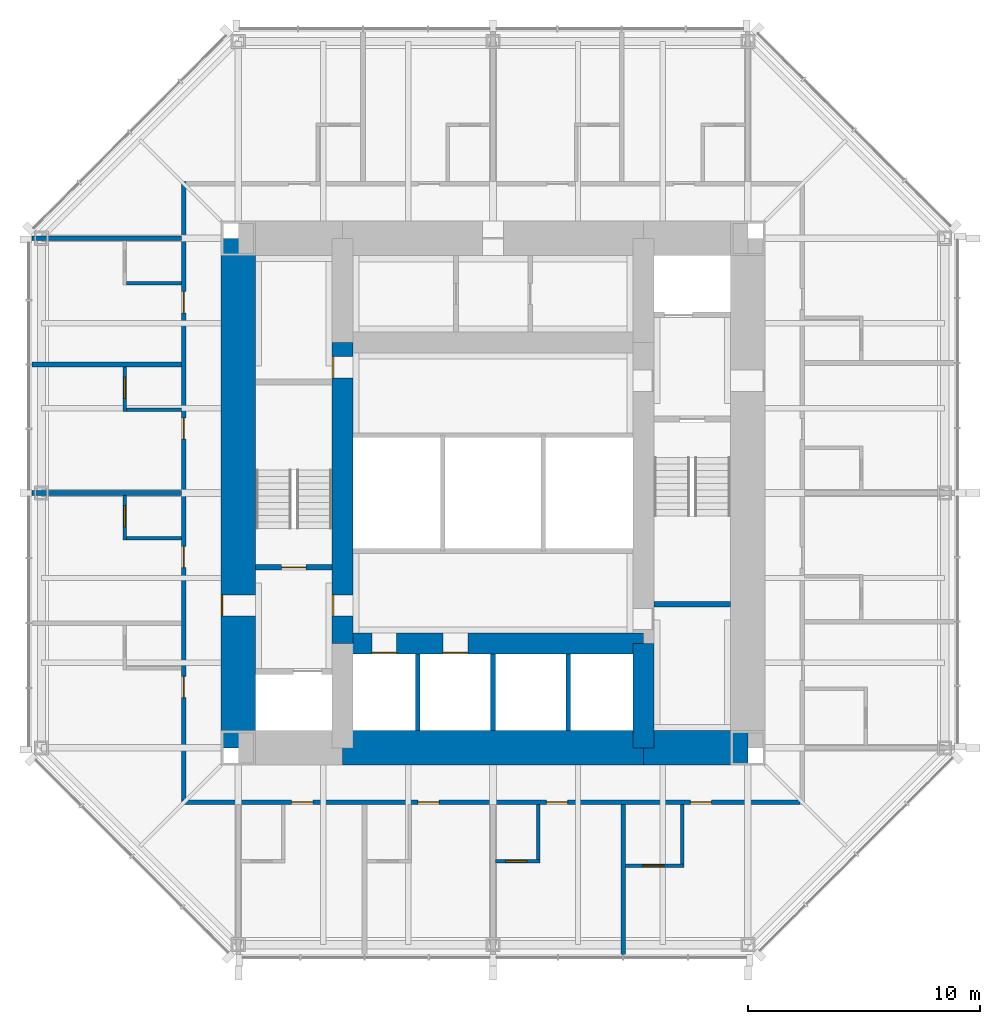
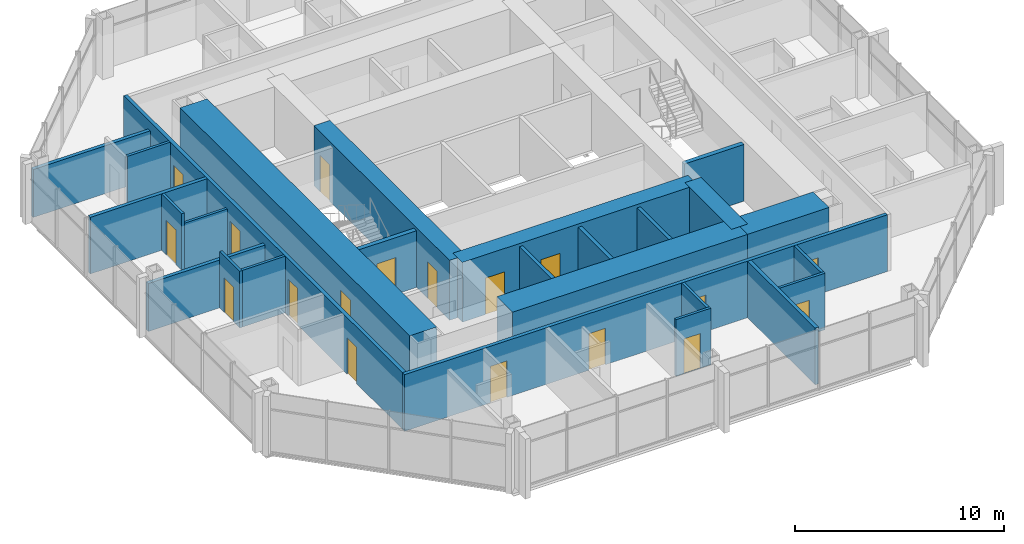
# One storey, part 8 of 12: 26 walls, 18 doors, 18 openings.
"""IFC4 building model written with IfcOpenShell, lengths in metres."""

from ifc_helpers import new_model, si_unit, direction, frame, frame_2d, origin, place, context, subcontext, project, spatial, rectangle, extrude, material, layer, layer_set, type_object, element, fill, save


model = new_model("IFC4")

# Units and contexts
model_context = context("Model", 3, precision=1e-05, world=origin(), true_north=direction((0.0, 1.0)))
body_context = subcontext(model_context, "Body", "Model", "MODEL_VIEW")
ifc_project = project(units=[si_unit("LENGTHUNIT", "METRE"), si_unit("AREAUNIT", "SQUARE_METRE"), si_unit("VOLUMEUNIT", "CUBIC_METRE"), si_unit("PLANEANGLEUNIT", "RADIAN"), si_unit("MASSUNIT", "GRAM", prefix="KILO")], contexts=[model_context])

# Site, building, storey
site_placement = place(None, origin())
site = spatial("IfcSite", under=ifc_project, at=site_placement, CompositionType="ELEMENT")
building_placement = place(site_placement, origin())
building = spatial("IfcBuilding", under=site, at=building_placement, Name="Trevanion Tower", CompositionType="ELEMENT")
storey_placement = place(building_placement, frame((0.0, 0.0, 197.699951171875)))
storey = spatial("IfcBuildingStorey", under=building, at=storey_placement, Name="L46", CompositionType="ELEMENT", Elevation=197.699951171875)

# Wall, opening, door
ifc_material_1 = material(Name="Concrete 10,000 psi", Category="concrete")
ifc_layer_1 = layer(ifc_material_1, 1.5)
ifc_layer_set_1 = layer_set([ifc_layer_1], Name="CW1 core wall 1500")
wall_type_1 = type_object("IfcWallType", Name="CW1 core wall 1500", PredefinedType="SHEAR", material=ifc_layer_set_1)
wall_1_placement = place(storey_placement, frame((-11.0, 11.0, 0.0), z_axis=(0.0, 0.0, 1.0), x_axis=(0.0, -1.0, 0.0)))
wall_1 = element("IfcWall", 1, at=wall_1_placement, inside=storey, type_object=wall_type_1, Name="CW1 CW L46", PredefinedType="SHEAR", context=body_context, shape_type="SweptSolid", body=[
    extrude(rectangle(XDim=22.0, YDim=1.5, at=frame_2d((11.0, 0.0))), origin(), (0.0, 0.0, 1.0), 3.5),
])
opening_1_placement = place(wall_1_placement, frame((15.392578125, 0.0, 0.0)))
opening_1 = element("IfcOpeningElement", 2, at=opening_1_placement, cuts=wall_1, Name="Opening 46-002", PredefinedType="OPENING", context=body_context, shape_type="SweptSolid", body=[
    extrude(rectangle(XDim=0.9150390625, YDim=2.134033203125, at=frame_2d((0.45751953125, 1.06689453125))), frame((0.0, 0.760009765625, 0.0), z_axis=(0.0, -1.0, 0.0), x_axis=(1.0, 0.0, 0.0)), (0.0, 0.0, 1.0), 1.52001953125),
])
ifc_material_2 = material(Name="Hollow metal, fire rated", Category="steel")
door_type_1 = type_object("IfcDoorType", Name="D3 fire lift lobby door", OperationType="SINGLE_SWING_RIGHT", PredefinedType="DOOR", material=ifc_material_2)
door_1_placement = place(opening_1_placement, origin())
door_1 = element("IfcDoor", 3, at=door_1_placement, inside=storey, type_object=door_type_1, Name="Door 46-002", OperationType="SINGLE_SWING_RIGHT", OverallHeight=2.134033203125, OverallWidth=0.9150390625, PredefinedType="DOOR", context=body_context, shape_type="SweptSolid", body=[
    extrude(rectangle(XDim=0.9150390625, YDim=2.134033203125, at=frame_2d((0.45751953125, 1.06689453125))), frame((0.0, -0.6748046875, 0.0), z_axis=(0.0, -1.0, 0.0), x_axis=(1.0, 0.0, 0.0)), (0.0, 0.0, 1.0), 0.050048828125),
])
fill(opening_1, door_1)

# Walls
wall_2_placement = place(storey_placement, frame((-6.5, -11.0, 0.0), z_axis=(0.0, 0.0, 1.0), x_axis=(1.0, 0.0, 0.0)))
element("IfcWall", 4, at=wall_2_placement, inside=storey, type_object=wall_type_1, Name="CW1 CS2 L46", PredefinedType="SHEAR", context=body_context, shape_type="SweptSolid", body=[
    extrude(rectangle(XDim=13.0, YDim=1.5, at=frame_2d((6.5, 0.0))), origin(), (0.0, 0.0, 1.0), 3.5),
])
wall_3_placement = place(storey_placement, frame((6.5, -11.0, 0.0), z_axis=(0.0, 0.0, 1.0), x_axis=(1.0, 0.0, 0.0)))
element("IfcWall", 5, at=wall_3_placement, inside=storey, type_object=wall_type_1, Name="CW1 CS3 L46", PredefinedType="SHEAR", context=body_context, shape_type="SweptSolid", body=[
    extrude(rectangle(XDim=4.5, YDim=1.5, at=frame_2d((2.25, 0.0))), origin(), (0.0, 0.0, 1.0), 3.5),
])
ifc_material_3 = material(Name="Concrete 10,000 psi", Category="concrete")
ifc_layer_2 = layer(ifc_material_3, 0.89990234375)
ifc_layer_set_2 = layer_set([ifc_layer_2], Name="CW2 core wall 900")
wall_type_2 = type_object("IfcWallType", Name="CW2 core wall 900", PredefinedType="SHEAR", material=ifc_layer_set_2)
wall_4_placement = place(storey_placement, frame((6.5, -11.0, 0.0), z_axis=(0.0, 0.0, 1.0), x_axis=(0.0, 1.0, 0.0)))
element("IfcWall", 6, at=wall_4_placement, inside=storey, type_object=wall_type_2, Name="CW2 RE1 L46", PredefinedType="SHEAR", context=body_context, shape_type="SweptSolid", body=[
    extrude(rectangle(XDim=4.5, YDim=0.89990234375, at=frame_2d((2.25, 0.0))), origin(), (0.0, 0.0, 1.0), 3.5),
])

# Wall, openings, doors
wall_5_placement = place(storey_placement, frame((-6.5, 6.5, 0.0), z_axis=(0.0, 0.0, 1.0), x_axis=(0.0, -1.0, 0.0)))
wall_5 = element("IfcWall", 7, at=wall_5_placement, inside=storey, type_object=wall_type_2, Name="CW2 RW2 L46", PredefinedType="SHEAR", context=body_context, shape_type="SweptSolid", body=[
    extrude(rectangle(XDim=13.0, YDim=0.89990234375, at=frame_2d((6.5, 0.0))), origin(), (0.0, 0.0, 1.0), 3.5),
])
opening_2_placement = place(wall_5_placement, frame((10.892578125, 0.0, 0.0)))
opening_2 = element("IfcOpeningElement", 8, at=opening_2_placement, cuts=wall_5, Name="Opening 46-004", PredefinedType="OPENING", context=body_context, shape_type="SweptSolid", body=[
    extrude(rectangle(XDim=0.9150390625, YDim=2.134033203125, at=frame_2d((0.45751953125, 1.06689453125))), frame((0.0, 0.4599609375, 0.0), z_axis=(0.0, -1.0, 0.0), x_axis=(1.0, 0.0, 0.0)), (0.0, 0.0, 1.0), 0.919921875),
])
opening_3_placement = place(wall_5_placement, frame((0.610107421875, 0.0, 0.0)))
opening_3 = element("IfcOpeningElement", 9, at=opening_3_placement, cuts=wall_5, Name="Opening 46-010", PredefinedType="OPENING", context=body_context, shape_type="SweptSolid", body=[
    extrude(rectangle(XDim=0.9150390625, YDim=2.134033203125, at=frame_2d((0.45751953125, 1.06689453125))), frame((0.0, 0.4599609375, 0.0), z_axis=(0.0, -1.0, 0.0), x_axis=(1.0, 0.0, 0.0)), (0.0, 0.0, 1.0), 0.919921875),
])
door_2_placement = place(opening_2_placement, origin())
door_2 = element("IfcDoor", 10, at=door_2_placement, inside=storey, type_object=door_type_1, Name="Door 46-004", OperationType="SINGLE_SWING_RIGHT", OverallHeight=2.134033203125, OverallWidth=0.9150390625, PredefinedType="DOOR", context=body_context, shape_type="SweptSolid", body=[
    extrude(rectangle(XDim=0.9150390625, YDim=2.134033203125, at=frame_2d((0.45751953125, 1.06689453125))), frame((0.0, -0.375, 0.0), z_axis=(0.0, -1.0, 0.0), x_axis=(1.0, 0.0, 0.0)), (0.0, 0.0, 1.0), 0.050048828125),
])
fill(opening_2, door_2)
ifc_material_4 = material(Name="Hollow metal, fire rated", Category="steel")
door_type_2 = type_object("IfcDoorType", Name="D5 service room door", OperationType="SINGLE_SWING_RIGHT", PredefinedType="DOOR", material=ifc_material_4)
door_3_placement = place(opening_3_placement, origin())
door_3 = element("IfcDoor", 11, at=door_3_placement, inside=storey, type_object=door_type_2, Name="Door 46-010", OperationType="SINGLE_SWING_RIGHT", OverallHeight=2.134033203125, OverallWidth=0.9150390625, PredefinedType="DOOR", context=body_context, shape_type="SweptSolid", body=[
    extrude(rectangle(XDim=0.9150390625, YDim=2.134033203125, at=frame_2d((0.45751953125, 1.06689453125))), frame((0.0, -0.375, 0.0), z_axis=(0.0, -1.0, 0.0), x_axis=(1.0, 0.0, 0.0)), (0.0, 0.0, 1.0), 0.050048828125),
])
fill(opening_3, door_3)

wall_6_placement = place(storey_placement, frame((-6.5, -6.5, 0.0), z_axis=(0.0, 0.0, 1.0), x_axis=(1.0, 0.0, 0.0)))
wall_6 = element("IfcWall", 12, at=wall_6_placement, inside=storey, type_object=wall_type_2, Name="CW2 RS L46", PredefinedType="SHEAR", context=body_context, shape_type="SweptSolid", body=[
    extrude(rectangle(XDim=13.0, YDim=0.89990234375, at=frame_2d((6.5, 0.0))), origin(), (0.0, 0.0, 1.0), 3.5),
])
opening_4_placement = place(wall_6_placement, frame((1.2666015625, 0.0, 0.0)))
opening_4 = element("IfcOpeningElement", 13, at=opening_4_placement, cuts=wall_6, Name="Opening 46-011", PredefinedType="OPENING", context=body_context, shape_type="SweptSolid", body=[
    extrude(rectangle(XDim=1.06689453125, YDim=2.134033203125, at=frame_2d((0.533447265625, 1.06689453125))), frame((0.0, 0.4599609375, 0.0), z_axis=(0.0, -1.0, 0.0), x_axis=(1.0, 0.0, 0.0)), (0.0, 0.0, 1.0), 0.919921875),
])
opening_5_placement = place(wall_6_placement, frame((4.341552734375, 0.0, 0.0)))
opening_5 = element("IfcOpeningElement", 14, at=opening_5_placement, cuts=wall_6, Name="Opening 46-012", PredefinedType="OPENING", context=body_context, shape_type="SweptSolid", body=[
    extrude(rectangle(XDim=1.06689453125, YDim=2.134033203125, at=frame_2d((0.533447265625, 1.06689453125))), frame((0.0, 0.4599609375, 0.0), z_axis=(0.0, -1.0, 0.0), x_axis=(1.0, 0.0, 0.0)), (0.0, 0.0, 1.0), 0.919921875),
])
ifc_material_5 = material(Name="Stainless steel, fire rated", Category="steel")
door_type_3 = type_object("IfcDoorType", Name="LD1 lift landing door", OperationType="SLIDING_TO_LEFT", PredefinedType="DOOR", material=ifc_material_5)
door_4_placement = place(opening_4_placement, origin())
door_4 = element("IfcDoor", 15, at=door_4_placement, inside=storey, type_object=door_type_3, Name="Door 46-011", OperationType="SLIDING_TO_LEFT", OverallHeight=2.134033203125, OverallWidth=1.06689453125, PredefinedType="DOOR", context=body_context, shape_type="SweptSolid", body=[
    extrude(rectangle(XDim=1.06689453125, YDim=2.134033203125, at=frame_2d((0.533447265625, 1.06689453125))), frame((0.0, -0.375, 0.0), z_axis=(0.0, -1.0, 0.0), x_axis=(1.0, 0.0, 0.0)), (0.0, 0.0, 1.0), 0.050048828125),
])
fill(opening_4, door_4)
door_5_placement = place(opening_5_placement, origin())
door_5 = element("IfcDoor", 16, at=door_5_placement, inside=storey, type_object=door_type_3, Name="Door 46-012", OperationType="SLIDING_TO_LEFT", OverallHeight=2.134033203125, OverallWidth=1.06689453125, PredefinedType="DOOR", context=body_context, shape_type="SweptSolid", body=[
    extrude(rectangle(XDim=1.06689453125, YDim=2.134033203125, at=frame_2d((0.533447265625, 1.06689453125))), frame((0.0, -0.375, 0.0), z_axis=(0.0, -1.0, 0.0), x_axis=(1.0, 0.0, 0.0)), (0.0, 0.0, 1.0), 0.050048828125),
])
fill(opening_5, door_5)

# Wall
ifc_material_6 = material(Name="Gypsum board on steel studs", Category="steel")
ifc_layer_3 = layer(ifc_material_6, 0.14990234375)
ifc_layer_set_3 = layer_set([ifc_layer_3], Name="PT1 partition 150")
wall_type_3 = type_object("IfcWallType", Name="PT1 partition 150", PredefinedType="PARTITIONING", material=ifc_layer_set_3)
wall_7_placement = place(storey_placement, frame((-13.449951171875, 9.050048828125, 0.0), z_axis=(0.0, 0.0, 1.0), x_axis=(-1.0, 0.0, 0.0)))
element("IfcWall", 17, at=wall_7_placement, inside=storey, type_object=wall_type_3, Name="PT1 L46 BB20", PredefinedType="PARTITIONING", context=body_context, shape_type="SweptSolid", body=[
    extrude(rectangle(XDim=2.375, YDim=0.14990234375, at=frame_2d((1.1875, 0.0))), origin(), (0.0, 0.0, 1.0), 3.31005859375),
])

# Wall, opening, door
wall_8_placement = place(storey_placement, frame((-15.89990234375, 5.448974609375, 0.0), z_axis=(0.0, 0.0, 1.0), x_axis=(0.0, -1.0, 0.0)))
wall_8 = element("IfcWall", 18, at=wall_8_placement, inside=storey, type_object=wall_type_3, Name="PT1 L46 BA21", PredefinedType="PARTITIONING", context=body_context, shape_type="SweptSolid", body=[
    extrude(rectangle(XDim=1.925048828125, YDim=0.14990234375, at=frame_2d((0.96240234375, 0.0))), origin(), (0.0, 0.0, 1.0), 3.31005859375),
])
opening_6_placement = place(wall_8_placement, frame((0.4423828125, 0.0, 0.0)))
opening_6 = element("IfcOpeningElement", 19, at=opening_6_placement, cuts=wall_8, Name="Opening 46-034", PredefinedType="OPENING", context=body_context, shape_type="SweptSolid", body=[
    extrude(rectangle(XDim=0.9150390625, YDim=2.031982421875, at=frame_2d((0.45751953125, 1.01611328125))), frame((0.0, 0.0849609375, 0.0), z_axis=(0.0, -1.0, 0.0), x_axis=(1.0, 0.0, 0.0)), (0.0, 0.0, 1.0), 0.169921875),
])
ifc_material_7 = material(Name="Timber veneer", Category="wood")
door_type_4 = type_object("IfcDoorType", Name="D7 bathroom door", OperationType="SINGLE_SWING_LEFT", PredefinedType="DOOR", material=ifc_material_7)
door_6_placement = place(opening_6_placement, origin())
door_6 = element("IfcDoor", 20, at=door_6_placement, inside=storey, type_object=door_type_4, Name="Door 46-034", OperationType="SINGLE_SWING_LEFT", OverallHeight=2.031982421875, OverallWidth=0.9150390625, PredefinedType="DOOR", context=body_context, shape_type="SweptSolid", body=[
    extrude(rectangle(XDim=0.9150390625, YDim=2.031982421875, at=frame_2d((0.45751953125, 1.01611328125))), frame((0.0, 0.02490234375, 0.0), z_axis=(0.0, -1.0, 0.0), x_axis=(1.0, 0.0, 0.0)), (0.0, 0.0, 1.0), 0.050048828125),
])
fill(opening_6, door_6)

# Wall
wall_9_placement = place(storey_placement, frame((-13.449951171875, 3.59912109375, 0.0), z_axis=(0.0, 0.0, 1.0), x_axis=(-1.0, 0.0, 0.0)))
element("IfcWall", 21, at=wall_9_placement, inside=storey, type_object=wall_type_3, Name="PT1 L46 BB21", PredefinedType="PARTITIONING", context=body_context, shape_type="SweptSolid", body=[
    extrude(rectangle(XDim=2.375, YDim=0.14990234375, at=frame_2d((1.1875, 0.0))), origin(), (0.0, 0.0, 1.0), 2.703125),
])

# Wall, opening, door
wall_10_placement = place(storey_placement, frame((-15.89990234375, -0.10009765625, 0.0), z_axis=(0.0, 0.0, 1.0), x_axis=(0.0, -1.0, 0.0)))
wall_10 = element("IfcWall", 22, at=wall_10_placement, inside=storey, type_object=wall_type_3, Name="PT1 L46 BA22", PredefinedType="PARTITIONING", context=body_context, shape_type="SweptSolid", body=[
    extrude(rectangle(XDim=1.9248046875, YDim=0.14990234375, at=frame_2d((0.96240234375, 0.0))), origin(), (0.0, 0.0, 1.0), 3.31005859375),
])
opening_7_placement = place(wall_10_placement, frame((0.4423828125, 0.0, 0.0)))
opening_7 = element("IfcOpeningElement", 23, at=opening_7_placement, cuts=wall_10, Name="Opening 46-036", PredefinedType="OPENING", context=body_context, shape_type="SweptSolid", body=[
    extrude(rectangle(XDim=0.9150390625, YDim=2.031982421875, at=frame_2d((0.45751953125, 1.01611328125))), frame((0.0, 0.0849609375, 0.0), z_axis=(0.0, -1.0, 0.0), x_axis=(1.0, 0.0, 0.0)), (0.0, 0.0, 1.0), 0.169921875),
])
door_7_placement = place(opening_7_placement, origin())
door_7 = element("IfcDoor", 24, at=door_7_placement, inside=storey, type_object=door_type_4, Name="Door 46-036", OperationType="SINGLE_SWING_LEFT", OverallHeight=2.031982421875, OverallWidth=0.9150390625, PredefinedType="DOOR", context=body_context, shape_type="SweptSolid", body=[
    extrude(rectangle(XDim=0.9150390625, YDim=2.031982421875, at=frame_2d((0.45751953125, 1.01611328125))), frame((0.0, 0.02490234375, 0.0), z_axis=(0.0, -1.0, 0.0), x_axis=(1.0, 0.0, 0.0)), (0.0, 0.0, 1.0), 0.050048828125),
])
fill(opening_7, door_7)

# Wall
wall_11_placement = place(storey_placement, frame((-13.449951171875, -1.949951171875, 0.0), z_axis=(0.0, 0.0, 1.0), x_axis=(-1.0, 0.0, 0.0)))
element("IfcWall", 25, at=wall_11_placement, inside=storey, type_object=wall_type_3, Name="PT1 L46 BB22", PredefinedType="PARTITIONING", context=body_context, shape_type="SweptSolid", body=[
    extrude(rectangle(XDim=2.375, YDim=0.14990234375, at=frame_2d((1.1875, 0.0))), origin(), (0.0, 0.0, 1.0), 3.31005859375),
])

# Wall, opening, door
wall_12_placement = place(storey_placement, frame((0.10009765625, -15.89990234375, 0.0), z_axis=(0.0, 0.0, 1.0), x_axis=(1.0, 0.0, 0.0)))
wall_12 = element("IfcWall", 26, at=wall_12_placement, inside=storey, type_object=wall_type_3, Name="PT1 L46 BA32", PredefinedType="PARTITIONING", context=body_context, shape_type="SweptSolid", body=[
    extrude(rectangle(XDim=1.9248046875, YDim=0.14990234375, at=frame_2d((0.96240234375, 0.0))), origin(), (0.0, 0.0, 1.0), 3.31005859375),
])
opening_8_placement = place(wall_12_placement, frame((0.4423828125, 0.0, 0.0)))
opening_8 = element("IfcOpeningElement", 27, at=opening_8_placement, cuts=wall_12, Name="Opening 46-044", PredefinedType="OPENING", context=body_context, shape_type="SweptSolid", body=[
    extrude(rectangle(XDim=0.9150390625, YDim=2.031982421875, at=frame_2d((0.45751953125, 1.01611328125))), frame((0.0, 0.0849609375, 0.0), z_axis=(0.0, -1.0, 0.0), x_axis=(1.0, 0.0, 0.0)), (0.0, 0.0, 1.0), 0.169921875),
])
door_8_placement = place(opening_8_placement, origin())
door_8 = element("IfcDoor", 28, at=door_8_placement, inside=storey, type_object=door_type_4, Name="Door 46-044", OperationType="SINGLE_SWING_LEFT", OverallHeight=2.031982421875, OverallWidth=0.9150390625, PredefinedType="DOOR", context=body_context, shape_type="SweptSolid", body=[
    extrude(rectangle(XDim=0.9150390625, YDim=2.031982421875, at=frame_2d((0.45751953125, 1.01611328125))), frame((0.0, 0.02490234375, 0.0), z_axis=(0.0, -1.0, 0.0), x_axis=(1.0, 0.0, 0.0)), (0.0, 0.0, 1.0), 0.050048828125),
])
fill(opening_8, door_8)

# Wall
wall_13_placement = place(storey_placement, frame((1.949951171875, -13.449951171875, 0.0), z_axis=(0.0, 0.0, 1.0), x_axis=(0.0, -1.0, 0.0)))
element("IfcWall", 29, at=wall_13_placement, inside=storey, type_object=wall_type_3, Name="PT1 L46 BB32", PredefinedType="PARTITIONING", context=body_context, shape_type="SweptSolid", body=[
    extrude(rectangle(XDim=2.375, YDim=0.14990234375, at=frame_2d((1.1875, 0.0))), origin(), (0.0, 0.0, 1.0), 3.31005859375),
])

# Wall, opening, door
wall_14_placement = place(storey_placement, frame((5.714111328125, -16.10009765625, 0.0), z_axis=(0.0, 0.0, 1.0), x_axis=(1.0, 0.0, 0.0)))
wall_14 = element("IfcWall", 30, at=wall_14_placement, inside=storey, type_object=wall_type_3, Name="PT1 L46 BA33", PredefinedType="PARTITIONING", context=body_context, shape_type="SweptSolid", body=[
    extrude(rectangle(XDim=2.52490234375, YDim=0.14990234375, at=frame_2d((1.262451171875, 0.0))), origin(), (0.0, 0.0, 1.0), 3.31005859375),
])
opening_9_placement = place(wall_14_placement, frame((0.742431640625, 0.0, 0.0)))
opening_9 = element("IfcOpeningElement", 31, at=opening_9_placement, cuts=wall_14, Name="Opening 46-046", PredefinedType="OPENING", context=body_context, shape_type="SweptSolid", body=[
    extrude(rectangle(XDim=0.9150390625, YDim=2.031982421875, at=frame_2d((0.45751953125, 1.01611328125))), frame((0.0, 0.0849609375, 0.0), z_axis=(0.0, -1.0, 0.0), x_axis=(1.0, 0.0, 0.0)), (0.0, 0.0, 1.0), 0.169921875),
])
door_9_placement = place(opening_9_placement, origin())
door_9 = element("IfcDoor", 32, at=door_9_placement, inside=storey, type_object=door_type_4, Name="Door 46-046", OperationType="SINGLE_SWING_LEFT", OverallHeight=2.031982421875, OverallWidth=0.9150390625, PredefinedType="DOOR", context=body_context, shape_type="SweptSolid", body=[
    extrude(rectangle(XDim=0.9150390625, YDim=2.031982421875, at=frame_2d((0.45751953125, 1.01611328125))), frame((0.0, 0.02490234375, 0.0), z_axis=(0.0, -1.0, 0.0), x_axis=(1.0, 0.0, 0.0)), (0.0, 0.0, 1.0), 0.050048828125),
])
fill(opening_9, door_9)

# Wall
wall_15_placement = place(storey_placement, frame((8.1640625, -13.449951171875, 0.0), z_axis=(0.0, 0.0, 1.0), x_axis=(0.0, -1.0, 0.0)))
element("IfcWall", 33, at=wall_15_placement, inside=storey, type_object=wall_type_3, Name="PT1 L46 BB33", PredefinedType="PARTITIONING", context=body_context, shape_type="SweptSolid", body=[
    extrude(rectangle(XDim=2.574951171875, YDim=0.14990234375, at=frame_2d((1.28759765625, 0.0))), origin(), (0.0, 0.0, 1.0), 3.31005859375),
])

# Wall, openings, doors
ifc_material_8 = material(Name="Concrete masonry, grouted", Category="masonry")
ifc_layer_4 = layer(ifc_material_8, 0.199951171875)
ifc_layer_set_4 = layer_set([ifc_layer_4], Name="PT2 partition 200 1 HR")
wall_type_4 = type_object("IfcWallType", Name="PT2 partition 200 1 HR", PredefinedType="PARTITIONING", material=ifc_layer_set_4)
wall_16_placement = place(storey_placement, frame((-13.35009765625, 13.449951171875, 0.0), z_axis=(0.0, 0.0, 1.0), x_axis=(0.0, -1.0, 0.0)))
wall_16 = element("IfcWall", 34, at=wall_16_placement, inside=storey, type_object=wall_type_4, Name="PT2 L46 HC2", PredefinedType="PARTITIONING", context=body_context, shape_type="SweptSolid", body=[
    extrude(rectangle(XDim=26.699951171875, YDim=0.199951171875, at=frame_2d((13.35009765625, 0.0))), origin(), (0.0, 0.0, 1.0), 3.31005859375),
])
opening_10_placement = place(wall_16_placement, frame((4.75244140625, 0.0, 0.0)))
opening_10 = element("IfcOpeningElement", 35, at=opening_10_placement, cuts=wall_16, Name="Opening 46-033", PredefinedType="OPENING", context=body_context, shape_type="SweptSolid", body=[
    extrude(rectangle(XDim=0.9150390625, YDim=2.134033203125, at=frame_2d((0.45751953125, 1.06689453125))), frame((0.0, 0.10986328125, 0.0), z_axis=(0.0, -1.0, 0.0), x_axis=(1.0, 0.0, 0.0)), (0.0, 0.0, 1.0), 0.219970703125),
])
opening_11_placement = place(wall_16_placement, frame((10.20361328125, 0.0, 0.0)))
opening_11 = element("IfcOpeningElement", 36, at=opening_11_placement, cuts=wall_16, Name="Opening 46-035", PredefinedType="OPENING", context=body_context, shape_type="SweptSolid", body=[
    extrude(rectangle(XDim=0.9150390625, YDim=2.134033203125, at=frame_2d((0.45751953125, 1.06689453125))), frame((0.0, 0.10986328125, 0.0), z_axis=(0.0, -1.0, 0.0), x_axis=(1.0, 0.0, 0.0)), (0.0, 0.0, 1.0), 0.219970703125),
])
opening_12_placement = place(wall_16_placement, frame((15.75244140625, 0.0, 0.0)))
opening_12 = element("IfcOpeningElement", 37, at=opening_12_placement, cuts=wall_16, Name="Opening 46-037", PredefinedType="OPENING", context=body_context, shape_type="SweptSolid", body=[
    extrude(rectangle(XDim=0.9150390625, YDim=2.134033203125, at=frame_2d((0.45751953125, 1.06689453125))), frame((0.0, 0.10986328125, 0.0), z_axis=(0.0, -1.0, 0.0), x_axis=(1.0, 0.0, 0.0)), (0.0, 0.0, 1.0), 0.219970703125),
])
opening_13_placement = place(wall_16_placement, frame((21.366455078125, 0.0, 0.0)))
opening_13 = element("IfcOpeningElement", 38, at=opening_13_placement, cuts=wall_16, Name="Opening 46-039", PredefinedType="OPENING", context=body_context, shape_type="SweptSolid", body=[
    extrude(rectangle(XDim=0.9150390625, YDim=2.134033203125, at=frame_2d((0.45751953125, 1.06689453125))), frame((0.0, 0.10986328125, 0.0), z_axis=(0.0, -1.0, 0.0), x_axis=(1.0, 0.0, 0.0)), (0.0, 0.0, 1.0), 0.219970703125),
])
ifc_material_9 = material(Name="Timber veneer, fire rated", Category="wood")
door_type_5 = type_object("IfcDoorType", Name="D6 guest room entrance door", OperationType="SINGLE_SWING_LEFT", PredefinedType="DOOR", material=ifc_material_9)
door_10_placement = place(opening_10_placement, origin())
door_10 = element("IfcDoor", 39, at=door_10_placement, inside=storey, type_object=door_type_5, Name="Door 46-033", OperationType="SINGLE_SWING_LEFT", OverallHeight=2.134033203125, OverallWidth=0.9150390625, PredefinedType="DOOR", context=body_context, shape_type="SweptSolid", body=[
    extrude(rectangle(XDim=0.9150390625, YDim=2.134033203125, at=frame_2d((0.45751953125, 1.06689453125))), frame((0.0, 0.02490234375, 0.0), z_axis=(0.0, -1.0, 0.0), x_axis=(1.0, 0.0, 0.0)), (0.0, 0.0, 1.0), 0.050048828125),
])
fill(opening_10, door_10)
door_11_placement = place(opening_11_placement, origin())
door_11 = element("IfcDoor", 40, at=door_11_placement, inside=storey, type_object=door_type_5, Name="Door 46-035", OperationType="SINGLE_SWING_LEFT", OverallHeight=2.134033203125, OverallWidth=0.9150390625, PredefinedType="DOOR", context=body_context, shape_type="SweptSolid", body=[
    extrude(rectangle(XDim=0.9150390625, YDim=2.134033203125, at=frame_2d((0.45751953125, 1.06689453125))), frame((0.0, 0.02490234375, 0.0), z_axis=(0.0, -1.0, 0.0), x_axis=(1.0, 0.0, 0.0)), (0.0, 0.0, 1.0), 0.050048828125),
])
fill(opening_11, door_11)
door_12_placement = place(opening_12_placement, origin())
door_12 = element("IfcDoor", 41, at=door_12_placement, inside=storey, type_object=door_type_5, Name="Door 46-037", OperationType="SINGLE_SWING_LEFT", OverallHeight=2.134033203125, OverallWidth=0.9150390625, PredefinedType="DOOR", context=body_context, shape_type="SweptSolid", body=[
    extrude(rectangle(XDim=0.9150390625, YDim=2.134033203125, at=frame_2d((0.45751953125, 1.06689453125))), frame((0.0, 0.02490234375, 0.0), z_axis=(0.0, -1.0, 0.0), x_axis=(1.0, 0.0, 0.0)), (0.0, 0.0, 1.0), 0.050048828125),
])
fill(opening_12, door_12)
door_13_placement = place(opening_13_placement, origin())
door_13 = element("IfcDoor", 42, at=door_13_placement, inside=storey, type_object=door_type_5, Name="Door 46-039", OperationType="SINGLE_SWING_LEFT", OverallHeight=2.134033203125, OverallWidth=0.9150390625, PredefinedType="DOOR", context=body_context, shape_type="SweptSolid", body=[
    extrude(rectangle(XDim=0.9150390625, YDim=2.134033203125, at=frame_2d((0.45751953125, 1.06689453125))), frame((0.0, 0.02490234375, 0.0), z_axis=(0.0, -1.0, 0.0), x_axis=(1.0, 0.0, 0.0)), (0.0, 0.0, 1.0), 0.050048828125),
])
fill(opening_13, door_13)

wall_17_placement = place(storey_placement, frame((-13.449951171875, -13.35009765625, 0.0), z_axis=(0.0, 0.0, 1.0), x_axis=(1.0, 0.0, 0.0)))
wall_17 = element("IfcWall", 43, at=wall_17_placement, inside=storey, type_object=wall_type_4, Name="PT2 L46 HC3", PredefinedType="PARTITIONING", context=body_context, shape_type="SweptSolid", body=[
    extrude(rectangle(XDim=26.699951171875, YDim=0.199951171875, at=frame_2d((13.35009765625, 0.0))), origin(), (0.0, 0.0, 1.0), 3.31005859375),
])
opening_14_placement = place(wall_17_placement, frame((4.75244140625, 0.0, 0.0)))
opening_14 = element("IfcOpeningElement", 44, at=opening_14_placement, cuts=wall_17, Name="Opening 46-041", PredefinedType="OPENING", context=body_context, shape_type="SweptSolid", body=[
    extrude(rectangle(XDim=0.9150390625, YDim=2.134033203125, at=frame_2d((0.45751953125, 1.06689453125))), frame((0.0, 0.10986328125, 0.0), z_axis=(0.0, -1.0, 0.0), x_axis=(1.0, 0.0, 0.0)), (0.0, 0.0, 1.0), 0.219970703125),
])
opening_15_placement = place(wall_17_placement, frame((10.20361328125, 0.0, 0.0)))
opening_15 = element("IfcOpeningElement", 45, at=opening_15_placement, cuts=wall_17, Name="Opening 46-043", PredefinedType="OPENING", context=body_context, shape_type="SweptSolid", body=[
    extrude(rectangle(XDim=0.9150390625, YDim=2.134033203125, at=frame_2d((0.45751953125, 1.06689453125))), frame((0.0, 0.10986328125, 0.0), z_axis=(0.0, -1.0, 0.0), x_axis=(1.0, 0.0, 0.0)), (0.0, 0.0, 1.0), 0.219970703125),
])
opening_16_placement = place(wall_17_placement, frame((15.75244140625, 0.0, 0.0)))
opening_16 = element("IfcOpeningElement", 46, at=opening_16_placement, cuts=wall_17, Name="Opening 46-045", PredefinedType="OPENING", context=body_context, shape_type="SweptSolid", body=[
    extrude(rectangle(XDim=0.9150390625, YDim=2.134033203125, at=frame_2d((0.45751953125, 1.06689453125))), frame((0.0, 0.10986328125, 0.0), z_axis=(0.0, -1.0, 0.0), x_axis=(1.0, 0.0, 0.0)), (0.0, 0.0, 1.0), 0.219970703125),
])
opening_17_placement = place(wall_17_placement, frame((21.966552734375, 0.0, 0.0)))
opening_17 = element("IfcOpeningElement", 47, at=opening_17_placement, cuts=wall_17, Name="Opening 46-047", PredefinedType="OPENING", context=body_context, shape_type="SweptSolid", body=[
    extrude(rectangle(XDim=0.9150390625, YDim=2.134033203125, at=frame_2d((0.45751953125, 1.06689453125))), frame((0.0, 0.10986328125, 0.0), z_axis=(0.0, -1.0, 0.0), x_axis=(1.0, 0.0, 0.0)), (0.0, 0.0, 1.0), 0.219970703125),
])
door_14_placement = place(opening_14_placement, origin())
door_14 = element("IfcDoor", 48, at=door_14_placement, inside=storey, type_object=door_type_5, Name="Door 46-041", OperationType="SINGLE_SWING_LEFT", OverallHeight=2.134033203125, OverallWidth=0.9150390625, PredefinedType="DOOR", context=body_context, shape_type="SweptSolid", body=[
    extrude(rectangle(XDim=0.9150390625, YDim=2.134033203125, at=frame_2d((0.45751953125, 1.06689453125))), frame((0.0, 0.02490234375, 0.0), z_axis=(0.0, -1.0, 0.0), x_axis=(1.0, 0.0, 0.0)), (0.0, 0.0, 1.0), 0.050048828125),
])
fill(opening_14, door_14)
door_15_placement = place(opening_15_placement, origin())
door_15 = element("IfcDoor", 49, at=door_15_placement, inside=storey, type_object=door_type_5, Name="Door 46-043", OperationType="SINGLE_SWING_LEFT", OverallHeight=2.134033203125, OverallWidth=0.9150390625, PredefinedType="DOOR", context=body_context, shape_type="SweptSolid", body=[
    extrude(rectangle(XDim=0.9150390625, YDim=2.134033203125, at=frame_2d((0.45751953125, 1.06689453125))), frame((0.0, 0.02490234375, 0.0), z_axis=(0.0, -1.0, 0.0), x_axis=(1.0, 0.0, 0.0)), (0.0, 0.0, 1.0), 0.050048828125),
])
fill(opening_15, door_15)
door_16_placement = place(opening_16_placement, origin())
door_16 = element("IfcDoor", 50, at=door_16_placement, inside=storey, type_object=door_type_5, Name="Door 46-045", OperationType="SINGLE_SWING_LEFT", OverallHeight=2.134033203125, OverallWidth=0.9150390625, PredefinedType="DOOR", context=body_context, shape_type="SweptSolid", body=[
    extrude(rectangle(XDim=0.9150390625, YDim=2.134033203125, at=frame_2d((0.45751953125, 1.06689453125))), frame((0.0, 0.02490234375, 0.0), z_axis=(0.0, -1.0, 0.0), x_axis=(1.0, 0.0, 0.0)), (0.0, 0.0, 1.0), 0.050048828125),
])
fill(opening_16, door_16)
door_17_placement = place(opening_17_placement, origin())
door_17 = element("IfcDoor", 51, at=door_17_placement, inside=storey, type_object=door_type_5, Name="Door 46-047", OperationType="SINGLE_SWING_LEFT", OverallHeight=2.134033203125, OverallWidth=0.9150390625, PredefinedType="DOOR", context=body_context, shape_type="SweptSolid", body=[
    extrude(rectangle(XDim=0.9150390625, YDim=2.134033203125, at=frame_2d((0.45751953125, 1.06689453125))), frame((0.0, 0.02490234375, 0.0), z_axis=(0.0, -1.0, 0.0), x_axis=(1.0, 0.0, 0.0)), (0.0, 0.0, 1.0), 0.050048828125),
])
fill(opening_17, door_17)

# Walls
wall_18_placement = place(storey_placement, frame((-13.449951171875, 11.0, 0.0), z_axis=(0.0, 0.0, 1.0), x_axis=(-1.0, 0.0, 0.0)))
element("IfcWall", 52, at=wall_18_placement, inside=storey, type_object=wall_type_4, Name="PT2 L46 HD20", PredefinedType="PARTITIONING", context=body_context, shape_type="SweptSolid", body=[
    extrude(rectangle(XDim=6.465087890625, YDim=0.199951171875, at=frame_2d((3.232421875, 0.0))), origin(), (0.0, 0.0, 1.0), 2.802001953125),
])
wall_19_placement = place(storey_placement, frame((-13.449951171875, 5.549072265625, 0.0), z_axis=(0.0, 0.0, 1.0), x_axis=(-1.0, 0.0, 0.0)))
element("IfcWall", 53, at=wall_19_placement, inside=storey, type_object=wall_type_4, Name="PT2 L46 HD21", PredefinedType="PARTITIONING", context=body_context, shape_type="SweptSolid", body=[
    extrude(rectangle(XDim=6.465087890625, YDim=0.199951171875, at=frame_2d((3.232421875, 0.0))), origin(), (0.0, 0.0, 1.0), 3.31005859375),
])
wall_20_placement = place(storey_placement, frame((-13.449951171875, 0.0, 0.0), z_axis=(0.0, 0.0, 1.0), x_axis=(-1.0, 0.0, 0.0)))
element("IfcWall", 54, at=wall_20_placement, inside=storey, type_object=wall_type_4, Name="PT2 L46 HD22", PredefinedType="PARTITIONING", context=body_context, shape_type="SweptSolid", body=[
    extrude(rectangle(XDim=6.465087890625, YDim=0.199951171875, at=frame_2d((3.232421875, 0.0))), origin(), (0.0, 0.0, 1.0), 2.802001953125),
])
wall_21_placement = place(storey_placement, frame((5.614013671875, -13.449951171875, 0.0), z_axis=(0.0, 0.0, 1.0), x_axis=(0.0, -1.0, 0.0)))
element("IfcWall", 55, at=wall_21_placement, inside=storey, type_object=wall_type_4, Name="PT2 L46 HD33", PredefinedType="PARTITIONING", context=body_context, shape_type="SweptSolid", body=[
    extrude(rectangle(XDim=6.465087890625, YDim=0.199951171875, at=frame_2d((3.232421875, 0.0))), origin(), (0.0, 0.0, 1.0), 3.31005859375),
])
ifc_material_10 = material(Name="Concrete masonry, grouted", Category="masonry")
ifc_layer_5 = layer(ifc_material_10, 0.199951171875)
ifc_layer_set_5 = layer_set([ifc_layer_5], Name="PT2 partition 200 2 HR")
wall_type_5 = type_object("IfcWallType", Name="PT2 partition 200 2 HR", PredefinedType="PARTITIONING", material=ifc_layer_set_5)
for number, where, z_axis, x_axis, name in (
    (56, (-3.25, -10.25, 0.0), (0.0, 0.0, 1.0), (0.0, 1.0, 0.0), "PT2 L46 SS0"),
    (57, (0.0, -10.25, 0.0), (0.0, 0.0, 1.0), (0.0, 1.0, 0.0), "PT2 L46 SS1"),
    (58, (3.25, -10.25, 0.0), (0.0, 0.0, 1.0), (0.0, 1.0, 0.0), "PT2 L46 SS2"),
):
    element("IfcWall", number, at=place(storey_placement, frame(where, z_axis=z_axis, x_axis=x_axis)), inside=storey, type_object=wall_type_5, Name=name, PredefinedType="PARTITIONING", context=body_context, shape_type="SweptSolid", body=[
        extrude(rectangle(XDim=3.300048828125, YDim=0.199951171875, at=frame_2d((1.64990234375, 0.0))), origin(), (0.0, 0.0, 1.0), 3.31005859375),
    ])
ifc_material_11 = material(Name="Reinforced masonry, fully grouted", Category="masonry")
ifc_layer_6 = layer(ifc_material_11, 0.25)
ifc_layer_set_6 = layer_set([ifc_layer_6], Name="SW1 stair shaft wall 250")
wall_type_6 = type_object("IfcWallType", Name="SW1 stair shaft wall 250", PredefinedType="SOLIDWALL", material=ifc_layer_set_6)
wall_22_placement = place(storey_placement, frame((6.949951171875, -4.800048828125, 0.0), z_axis=(0.0, 0.0, 1.0), x_axis=(1.0, 0.0, 0.0)))
element("IfcWall", 59, at=wall_22_placement, inside=storey, type_object=wall_type_6, Name="SW1 L46 EP1", PredefinedType="SOLIDWALL", context=body_context, shape_type="SweptSolid", body=[
    extrude(rectangle(XDim=3.300048828125, YDim=0.25, at=frame_2d((1.64990234375, 0.0))), origin(), (0.0, 0.0, 1.0), 3.31005859375),
])

# Wall, opening, door
wall_23_placement = place(storey_placement, frame((-6.949951171875, -3.199951171875, 0.0), z_axis=(0.0, 0.0, 1.0), x_axis=(-1.0, 0.0, 0.0)))
wall_23 = element("IfcWall", 60, at=wall_23_placement, inside=storey, type_object=wall_type_6, Name="SW1 L46 WP2", PredefinedType="SOLIDWALL", context=body_context, shape_type="SweptSolid", body=[
    extrude(rectangle(XDim=3.300048828125, YDim=0.25, at=frame_2d((1.64990234375, 0.0))), origin(), (0.0, 0.0, 1.0), 3.31005859375),
])
opening_18_placement = place(wall_23_placement, frame((1.116455078125, 0.0, 0.0)))
opening_18 = element("IfcOpeningElement", 61, at=opening_18_placement, cuts=wall_23, Name="Opening 46-006", PredefinedType="OPENING", context=body_context, shape_type="SweptSolid", body=[
    extrude(rectangle(XDim=1.06689453125, YDim=2.134033203125, at=frame_2d((0.533447265625, 1.06689453125))), frame((0.0, 0.135009765625, 0.0), z_axis=(0.0, -1.0, 0.0), x_axis=(1.0, 0.0, 0.0)), (0.0, 0.0, 1.0), 0.27001953125),
])
ifc_material_12 = material(Name="Hollow metal, fire rated", Category="steel")
door_type_6 = type_object("IfcDoorType", Name="D2 exit stair door", OperationType="SINGLE_SWING_LEFT", PredefinedType="DOOR", material=ifc_material_12)
door_18_placement = place(opening_18_placement, origin())
door_18 = element("IfcDoor", 62, at=door_18_placement, inside=storey, type_object=door_type_6, Name="Door 46-006", OperationType="SINGLE_SWING_LEFT", OverallHeight=2.134033203125, OverallWidth=1.06689453125, PredefinedType="DOOR", context=body_context, shape_type="SweptSolid", body=[
    extrude(rectangle(XDim=1.06689453125, YDim=2.134033203125, at=frame_2d((0.533447265625, 1.06689453125))), frame((0.0, 0.02490234375, 0.0), z_axis=(0.0, -1.0, 0.0), x_axis=(1.0, 0.0, 0.0)), (0.0, 0.0, 1.0), 0.050048828125),
])
fill(opening_18, door_18)

save(model, "model.ifc")
